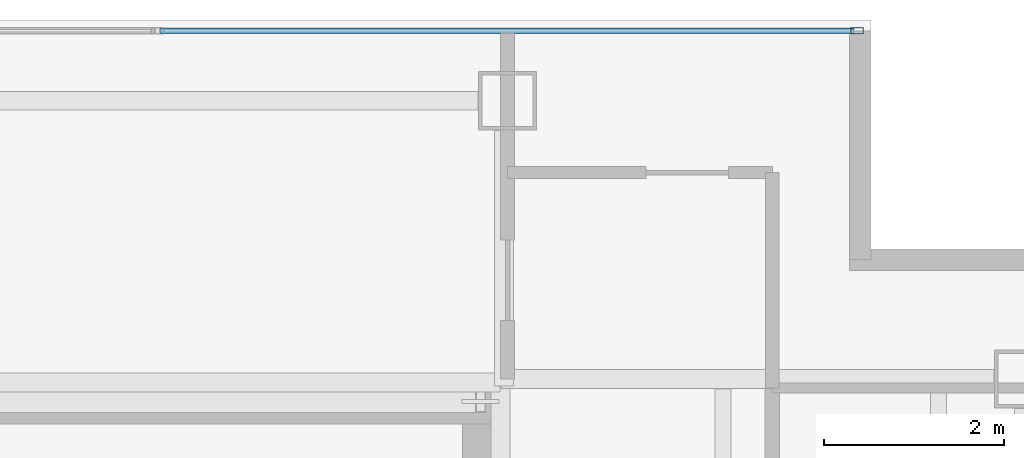
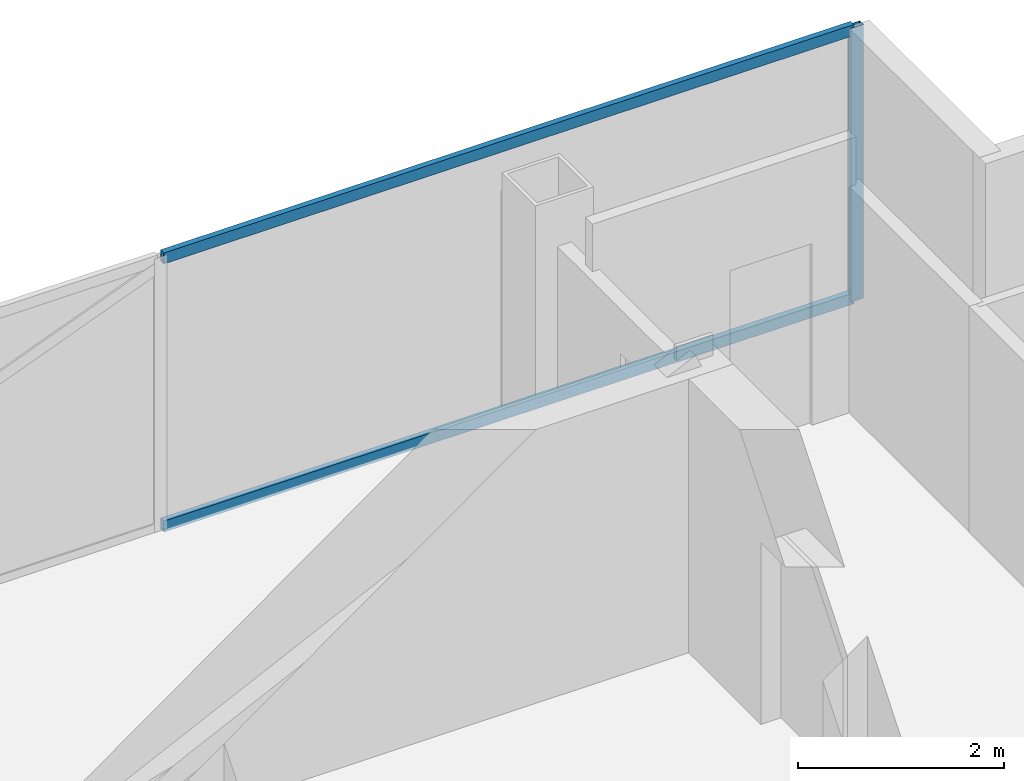
# One storey, part 18 of 23: 3 members, 1 element without a shape of its own.
"""IFC4 building model written with IfcOpenShell, lengths in metres."""

from ifc_helpers import new_model, si_unit, direction, frame, origin, origin_2d, place, context, subcontext, project, spatial, hollow_rectangle, extrude, material, material_profile, profile_set, type_object, element, aggregate, save


model = new_model("IFC4")

# Units and contexts
model_context = context("Model", 3, precision=1e-05, world=origin(), true_north=direction((0.0, 1.0)))
body_context = subcontext(model_context, "Body", "Model", "MODEL_VIEW")
ifc_project = project(units=[si_unit("LENGTHUNIT", "METRE"), si_unit("AREAUNIT", "SQUARE_METRE"), si_unit("VOLUMEUNIT", "CUBIC_METRE"), si_unit("PLANEANGLEUNIT", "RADIAN"), si_unit("MASSUNIT", "GRAM", prefix="KILO")], contexts=[model_context])

# Site, building, storey
site_placement = place(None, origin())
site = spatial("IfcSite", under=ifc_project, at=site_placement, CompositionType="ELEMENT")
building_placement = place(site_placement, origin())
building = spatial("IfcBuilding", under=site, at=building_placement, Name="Cobrela Telecom Tower", CompositionType="ELEMENT")
storey_placement = place(building_placement, frame((0.0, 0.0, 258.64990234375)))
storey = spatial("IfcBuildingStorey", under=building, at=storey_placement, Name="L67", CompositionType="ELEMENT", Elevation=258.64990234375)

# Curtain wall, members
ifc_material = material(Name="Anodized Bronze Aluminium 6063-T6", Category="aluminium")
curtain_wall_type = type_object("IfcCurtainWallType", Name="CW-SYS-OFF-HI", PredefinedType="USERDEFINED", material=ifc_material)
curtain_wall_placement = place(storey_placement, origin())
curtain_wall = element("IfcCurtainWall", 1, at=curtain_wall_placement, inside=storey, type_object=curtain_wall_type, Name="L67 Unitised Bronze Curtain Wall 05", ObjectType="UNITISED CURTAIN WALL", PredefinedType="USERDEFINED")
ifc_material_profile_1 = material_profile(ifc_material, hollow_rectangle(XDim=0.070068359375, YDim=0.139892578125, WallThickness=0.00390625, at=origin_2d()), Name="ALU 70x140x4")
ifc_profile_set_1 = profile_set([ifc_material_profile_1], Name="Anodized Bronze Aluminium 6063-T6")
member_type_1 = type_object("IfcMemberType", Name="CW-SYS-OFF-HI-MUL", PredefinedType="MULLION", material=ifc_profile_set_1)
member_1_placement = place(storey_placement, frame((18.294921875, 39.8798828125, 0.0), z_axis=(0.0, 0.0, 1.0), x_axis=(0.0, 1.0, 0.0)))
member_1 = element("IfcMember", 2, at=member_1_placement, type_object=member_type_1, Name="CW-OFF-HI mullion 3", PredefinedType="MULLION", context=body_context, shape_type="SweptSolid", body=[
    extrude(hollow_rectangle(XDim=0.070068359375, YDim=0.139892578125, WallThickness=0.00390625, at=origin_2d()), origin(), (0.0, 0.0, 1.0), 3.239990234375),
])
ifc_material_profile_2 = material_profile(ifc_material, hollow_rectangle(XDim=0.06494140625, YDim=0.1298828125, WallThickness=0.00390625, at=origin_2d()), Name="ALU 65x130x4")
ifc_profile_set_2 = profile_set([ifc_material_profile_2], Name="Anodized Bronze Aluminium 6063-T6")
member_type_2 = type_object("IfcMemberType", Name="CW-SYS-OFF-HI-TRN", PredefinedType="USERDEFINED", material=ifc_profile_set_2)
member_2_placement = place(storey_placement, frame((10.534912109375, 39.8798828125, 0.03271484375), z_axis=(1.0, 0.0, 0.0), x_axis=(0.0, 1.0, 0.0)))
member_2 = element("IfcMember", 3, at=member_2_placement, type_object=member_type_2, Name="CW-OFF-HI transom 2.1", ObjectType="TRANSOM", PredefinedType="USERDEFINED", context=body_context, shape_type="SweptSolid", body=[
    extrude(hollow_rectangle(XDim=0.06494140625, YDim=0.1298828125, WallThickness=0.00390625, at=origin_2d()), origin(), (0.0, 0.0, 1.0), 7.72509765625),
])
member_3_placement = place(storey_placement, frame((10.534912109375, 39.8798828125, 3.20751953125), z_axis=(1.0, 0.0, 0.0), x_axis=(0.0, 1.0, 0.0)))
member_3 = element("IfcMember", 4, at=member_3_placement, type_object=member_type_2, Name="CW-OFF-HI transom 2.2", ObjectType="TRANSOM", PredefinedType="USERDEFINED", context=body_context, shape_type="SweptSolid", body=[
    extrude(hollow_rectangle(XDim=0.06494140625, YDim=0.1298828125, WallThickness=0.00390625, at=origin_2d()), origin(), (0.0, 0.0, 1.0), 7.72509765625),
])
aggregate(curtain_wall, [member_1, member_2, member_3])

save(model, "model.ifc")
